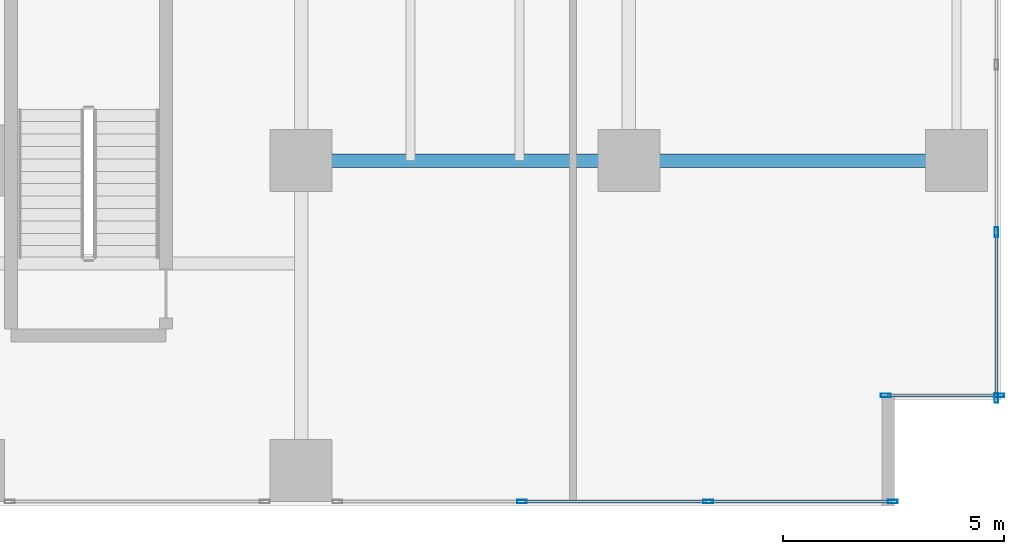
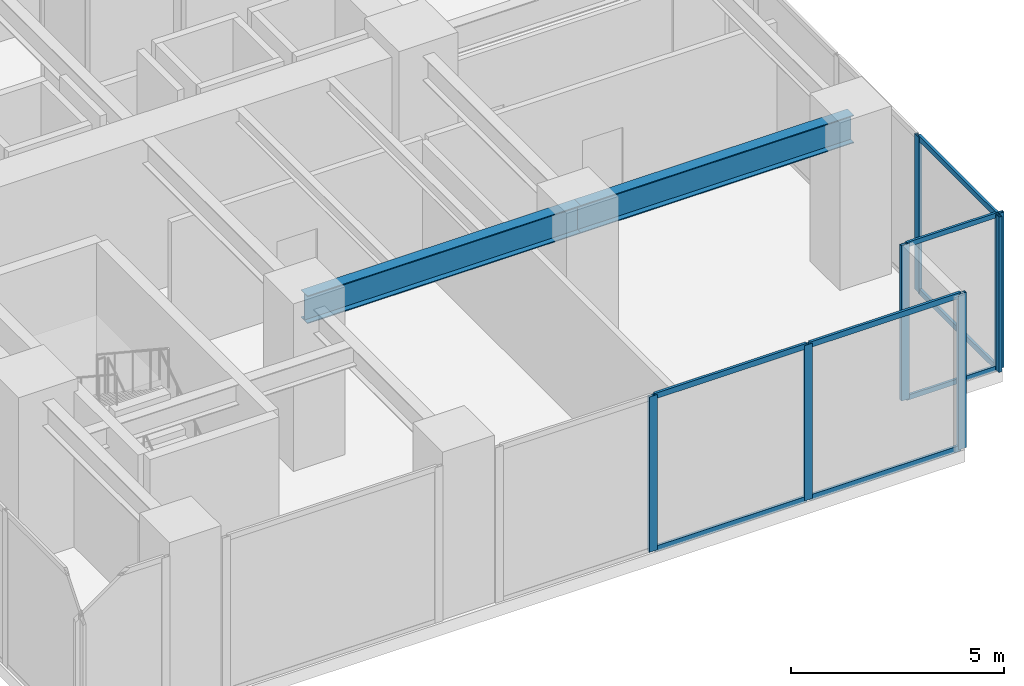
# One storey, part 18 of 32: 15 members, 2 beams, 3 elements without a shape of their own.
"""IFC4 building model written with IfcOpenShell, lengths in metres."""

from ifc_helpers import new_model, si_unit, direction, frame, origin, origin_2d, place, context, subcontext, project, spatial, hollow_rectangle, i_section, extrude, source, transform, mapped, material, layer, layer_set, material_profile, profile_set, type_object, type_shapes, element, aggregate, save


model = new_model("IFC4")

# Units and contexts
model_context = context("Model", 3, precision=1e-05, world=origin(), true_north=direction((0.0, 1.0)))
body_context = subcontext(model_context, "Body", "Model", "MODEL_VIEW")
ifc_project = project(units=[si_unit("LENGTHUNIT", "METRE"), si_unit("AREAUNIT", "SQUARE_METRE"), si_unit("VOLUMEUNIT", "CUBIC_METRE"), si_unit("PLANEANGLEUNIT", "RADIAN"), si_unit("MASSUNIT", "GRAM", prefix="KILO")], contexts=[model_context])

# Site, building, storey
site_placement = place(None, origin())
site = spatial("IfcSite", under=ifc_project, at=site_placement, CompositionType="ELEMENT")
building_placement = place(site_placement, origin())
building = spatial("IfcBuilding", under=site, at=building_placement, Name="Haelvirn Gate Laboratories", CompositionType="ELEMENT")
storey_placement = place(building_placement, frame((0.0, 0.0, 5.39990234375)))
storey = spatial("IfcBuildingStorey", under=building, at=storey_placement, Name="L02", CompositionType="ELEMENT", Elevation=5.39990234375)

# Beams
ifc_material_1 = material(Name="Steel SM420", Category="steel")
ifc_material_profile_1 = material_profile(ifc_material_1, i_section(OverallWidth=0.300048828125, OverallDepth=0.800048828125, WebThickness=0.013916015625, FlangeThickness=0.02587890625, at=origin_2d()), Name="H-800x300x14x26")
ifc_profile_set_1 = profile_set([ifc_material_profile_1], Name="Steel SM420")
beam_type = type_object("IfcBeamType", Name="BM-G-800", PredefinedType="BEAM", material=ifc_profile_set_1)
shared_shape_1 = source(origin(), body_context, "Body", "SweptSolid", [
    extrude(i_section(OverallWidth=0.300048828125, OverallDepth=0.800048828125, WebThickness=0.013916015625, FlangeThickness=0.02587890625, at=origin_2d()), origin(), (0.0, 0.0, 1.0), 7.400146484375),
])
beam_1_placement = place(storey_placement, frame((67.39990234375, 7.0, 4.050048828125), z_axis=(1.0, 0.0, 0.0), x_axis=(0.0, 1.0, 0.0)))
element("IfcBeam", 1, at=beam_1_placement, inside=storey, type_object=beam_type, Name="L02 Primary Girder Y7.0 (67.4-74.8)", PredefinedType="BEAM", context=body_context, shape_type="MappedRepresentation", body=[
    mapped(shared_shape_1, transform((0.0, 0.0, 0.0), scale=1.0)),
])
shared_shape_2 = source(origin(), body_context, "Body", "SweptSolid", [
    extrude(i_section(OverallWidth=0.300048828125, OverallDepth=0.800048828125, WebThickness=0.013916015625, FlangeThickness=0.02587890625, at=origin_2d()), origin(), (0.0, 0.0, 1.0), 7.39990234375),
])
type_shapes(beam_type, [shared_shape_1, shared_shape_2])
beam_2_placement = place(storey_placement, frame((60.0, 7.0, 4.050048828125), z_axis=(1.0, 0.0, 0.0), x_axis=(0.0, 1.0, 0.0)))
element("IfcBeam", 2, at=beam_2_placement, inside=storey, type_object=beam_type, Name="L02 Primary Girder Y7.0 (60.0-67.4)", PredefinedType="BEAM", context=body_context, shape_type="MappedRepresentation", body=[
    mapped(shared_shape_2, transform((0.0, 0.0, 0.0), scale=1.0)),
])

# Curtain wall, members
ifc_material_2 = material(Name="Anodised bronze unitised aluminium & triple low-E glass", Category="aluminium")
ifc_layer_1 = layer(ifc_material_2, 0.18798828125, Name="CW-SYS-1")
ifc_layer_set_1 = layer_set([ifc_layer_1], Name="Anodised bronze unitised aluminium & triple low-E glass")
curtain_wall_type_1 = type_object("IfcCurtainWallType", Name="CW-SYS-1", PredefinedType="NOTDEFINED", material=ifc_layer_set_1)
curtain_wall_1_placement = place(storey_placement, origin())
curtain_wall_1 = element("IfcCurtainWall", 3, at=curtain_wall_1_placement, inside=storey, type_object=curtain_wall_type_1, Name="L02 Unitised Curtain Wall CW-L02-P1-E00-1-S3", PredefinedType="NOTDEFINED")
ifc_material_3 = material(Name="Extruded aluminium 6063-T6 (anodised bronze)", Category="aluminium")
ifc_material_profile_2 = material_profile(ifc_material_3, hollow_rectangle(XDim=0.080078125, YDim=0.219970703125, WallThickness=0.006103515625, at=origin_2d()), Name="CWM-220x80x6")
ifc_profile_set_2 = profile_set([ifc_material_profile_2], Name="Extruded aluminium 6063-T6 (anodised bronze)")
member_type_1 = type_object("IfcMemberType", Name="CWM-T220", PredefinedType="MULLION", material=ifc_profile_set_2)
shared_shape_3 = source(origin(), body_context, "Body", "SweptSolid", [
    extrude(hollow_rectangle(XDim=0.080078125, YDim=0.219970703125, WallThickness=0.006103515625, at=origin_2d()), origin(), (0.0, 0.0, 1.0), 4.4501953125),
])
type_shapes(member_type_1, [shared_shape_3])
member_1_placement = place(storey_placement, frame((64.986572265625, -0.699951171875, 0.0), z_axis=(0.0, 0.0, 1.0), x_axis=(0.0, 1.0, 0.0)))
member_1 = element("IfcMember", 4, at=member_1_placement, type_object=member_type_1, Name="CW1 mullion 2", PredefinedType="MULLION", context=body_context, shape_type="MappedRepresentation", body=[
    mapped(shared_shape_3, transform((0.0, 0.0, 0.0), scale=1.0)),
])
member_2_placement = place(storey_placement, frame((69.193359375, -0.699951171875, 0.0), z_axis=(0.0, 0.0, 1.0), x_axis=(0.0, 1.0, 0.0)))
member_2 = element("IfcMember", 5, at=member_2_placement, type_object=member_type_1, Name="CW1 mullion 3", PredefinedType="MULLION", context=body_context, shape_type="MappedRepresentation", body=[
    mapped(shared_shape_3, transform((0.0, 0.0, 0.0), scale=1.0)),
])
member_3_placement = place(storey_placement, frame((73.360107421875, -0.699951171875, 0.0), z_axis=(0.0, 0.0, 1.0), x_axis=(0.0, 1.0, 0.0)))
member_3 = element("IfcMember", 6, at=member_3_placement, type_object=member_type_1, Name="CW1 mullion 4", PredefinedType="MULLION", context=body_context, shape_type="MappedRepresentation", body=[
    mapped(shared_shape_3, transform((0.0, 0.0, 0.0), scale=1.0)),
])

ifc_layer_2 = layer(ifc_material_2, 0.181884765625, Name="CW-SYS-5")
ifc_layer_set_2 = layer_set([ifc_layer_2], Name="Anodised bronze unitised aluminium & triple low-E glass")
curtain_wall_type_2 = type_object("IfcCurtainWallType", Name="CW-SYS-5", PredefinedType="NOTDEFINED", material=ifc_layer_set_2)
curtain_wall_2_placement = place(storey_placement, origin())
curtain_wall_2 = element("IfcCurtainWall", 7, at=curtain_wall_2_placement, inside=storey, type_object=curtain_wall_type_2, Name="L02 Unitised Curtain Wall CW-L02-P1-E02-1", PredefinedType="NOTDEFINED")
member_4_placement = place(storey_placement, frame((73.199951171875, 1.699951171875, 0.0), z_axis=(0.0, 0.0, 1.0), x_axis=(0.0, 1.0, 0.0)))
member_4 = element("IfcMember", 8, at=member_4_placement, type_object=member_type_1, Name="CW5 mullion 1", PredefinedType="MULLION", context=body_context, shape_type="MappedRepresentation", body=[
    mapped(shared_shape_3, transform((0.0, 0.0, 0.0), scale=1.0)),
])
member_5_placement = place(storey_placement, frame((75.760009765625, 1.699951171875, 0.0), z_axis=(0.0, 0.0, 1.0), x_axis=(0.0, 1.0, 0.0)))
member_5 = element("IfcMember", 9, at=member_5_placement, type_object=member_type_1, Name="CW5 mullion 2", PredefinedType="MULLION", context=body_context, shape_type="MappedRepresentation", body=[
    mapped(shared_shape_3, transform((0.0, 0.0, 0.0), scale=1.0)),
])

curtain_wall_3_placement = place(storey_placement, origin())
curtain_wall_3 = element("IfcCurtainWall", 10, at=curtain_wall_3_placement, inside=storey, type_object=curtain_wall_type_1, Name="L02 Unitised Curtain Wall CW-L02-P1-E03", PredefinedType="NOTDEFINED")
member_6_placement = place(storey_placement, frame((75.699951171875, 1.639892578125, 0.0), z_axis=(0.0, 0.0, 1.0), x_axis=(-1.0, 0.0, 0.0)))
member_6 = element("IfcMember", 11, at=member_6_placement, type_object=member_type_1, Name="CW1 mullion 1", PredefinedType="MULLION", context=body_context, shape_type="MappedRepresentation", body=[
    mapped(shared_shape_3, transform((0.0, 0.0, 0.0), scale=1.0)),
])
member_7_placement = place(storey_placement, frame((75.699951171875, 5.38330078125, 0.0), z_axis=(0.0, 0.0, 1.0), x_axis=(-1.0, 0.0, 0.0)))
member_7 = element("IfcMember", 12, at=member_7_placement, type_object=member_type_1, Name="CW1 mullion 2", PredefinedType="MULLION", context=body_context, shape_type="MappedRepresentation", body=[
    mapped(shared_shape_3, transform((0.0, 0.0, 0.0), scale=1.0)),
])

# Member
ifc_material_profile_3 = material_profile(ifc_material_3, hollow_rectangle(XDim=0.06494140625, YDim=0.139892578125, WallThickness=0.00390625, at=origin_2d()), Name="CWT-140x65x4")
ifc_profile_set_3 = profile_set([ifc_material_profile_3], Name="Extruded aluminium 6063-T6 (anodised bronze)")
member_type_2 = type_object("IfcMemberType", Name="CWT-T140", PredefinedType="USERDEFINED", material=ifc_profile_set_3)
shared_shape_4 = source(origin(), body_context, "Body", "SweptSolid", [
    extrude(hollow_rectangle(XDim=0.06494140625, YDim=0.139892578125, WallThickness=0.00390625, at=origin_2d()), origin(), (0.0, 0.0, 1.0), 2.47998046875),
])
type_shapes(member_type_2, [shared_shape_4])
member_8_placement = place(storey_placement, frame((73.239990234375, 1.699951171875, 0.03271484375), z_axis=(1.0, 0.0, 0.0), x_axis=(0.0, 1.0, 0.0)))
member_8 = element("IfcMember", 13, at=member_8_placement, type_object=member_type_2, Name="CW5 transom 1.1", ObjectType="TRANSOM", PredefinedType="USERDEFINED", context=body_context, shape_type="MappedRepresentation", body=[
    mapped(shared_shape_4, transform((0.0, 0.0, 0.0), scale=1.0)),
])

member_9_placement = place(storey_placement, frame((73.239990234375, 1.699951171875, 4.41748046875), z_axis=(1.0, 0.0, 0.0), x_axis=(0.0, 1.0, 0.0)))
member_9 = element("IfcMember", 14, at=member_9_placement, type_object=member_type_2, Name="CW5 transom 1.2", ObjectType="TRANSOM", PredefinedType="USERDEFINED", context=body_context, shape_type="MappedRepresentation", body=[
    mapped(shared_shape_4, transform((0.0, 0.0, 0.0), scale=1.0)),
])

aggregate(curtain_wall_2, [member_4, member_5, member_8, member_9])

ifc_material_profile_4 = material_profile(ifc_material_3, hollow_rectangle(XDim=0.070068359375, YDim=0.159912109375, WallThickness=0.0048828125, at=origin_2d()), Name="CWT-160x70x5")
ifc_profile_set_4 = profile_set([ifc_material_profile_4], Name="Extruded aluminium 6063-T6 (anodised bronze)")
member_type_3 = type_object("IfcMemberType", Name="CWT-T160", PredefinedType="USERDEFINED", material=ifc_profile_set_4)
shared_shape_5 = source(origin(), body_context, "Body", "SweptSolid", [
    extrude(hollow_rectangle(XDim=0.070068359375, YDim=0.159912109375, WallThickness=0.0048828125, at=origin_2d()), origin(), (0.0, 0.0, 1.0), 3.663330078125),
])
member_10_placement = place(storey_placement, frame((75.699951171875, 1.679931640625, 0.03515625), z_axis=(0.0, 1.0, 0.0), x_axis=(-1.0, 0.0, 0.0)))
member_10 = element("IfcMember", 15, at=member_10_placement, type_object=member_type_3, Name="CW1 transom 1.1", ObjectType="TRANSOM", PredefinedType="USERDEFINED", context=body_context, shape_type="MappedRepresentation", body=[
    mapped(shared_shape_5, transform((0.0, 0.0, 0.0), scale=1.0)),
])

member_11_placement = place(storey_placement, frame((75.699951171875, 1.679931640625, 4.4150390625), z_axis=(0.0, 1.0, 0.0), x_axis=(-1.0, 0.0, 0.0)))
member_11 = element("IfcMember", 16, at=member_11_placement, type_object=member_type_3, Name="CW1 transom 1.2", ObjectType="TRANSOM", PredefinedType="USERDEFINED", context=body_context, shape_type="MappedRepresentation", body=[
    mapped(shared_shape_5, transform((0.0, 0.0, 0.0), scale=1.0)),
])

aggregate(curtain_wall_3, [member_6, member_7, member_10, member_11])

shared_shape_6 = source(origin(), body_context, "Body", "SweptSolid", [
    extrude(hollow_rectangle(XDim=0.070068359375, YDim=0.159912109375, WallThickness=0.0048828125, at=origin_2d()), origin(), (0.0, 0.0, 1.0), 4.086669921875),
])
member_12_placement = place(storey_placement, frame((69.2333984375, -0.699951171875, 0.03515625), z_axis=(1.0, 0.0, 0.0), x_axis=(0.0, 1.0, 0.0)))
member_12 = element("IfcMember", 17, at=member_12_placement, type_object=member_type_3, Name="CW1 transom 3.1", ObjectType="TRANSOM", PredefinedType="USERDEFINED", context=body_context, shape_type="MappedRepresentation", body=[
    mapped(shared_shape_6, transform((0.0, 0.0, 0.0), scale=1.0)),
])

member_13_placement = place(storey_placement, frame((69.2333984375, -0.699951171875, 4.4150390625), z_axis=(1.0, 0.0, 0.0), x_axis=(0.0, 1.0, 0.0)))
member_13 = element("IfcMember", 18, at=member_13_placement, type_object=member_type_3, Name="CW1 transom 3.2", ObjectType="TRANSOM", PredefinedType="USERDEFINED", context=body_context, shape_type="MappedRepresentation", body=[
    mapped(shared_shape_6, transform((0.0, 0.0, 0.0), scale=1.0)),
])

shared_shape_7 = source(origin(), body_context, "Body", "SweptSolid", [
    extrude(hollow_rectangle(XDim=0.070068359375, YDim=0.159912109375, WallThickness=0.0048828125, at=origin_2d()), origin(), (0.0, 0.0, 1.0), 4.126708984375),
])
type_shapes(member_type_3, [shared_shape_5, shared_shape_6, shared_shape_7])
member_14_placement = place(storey_placement, frame((65.026611328125, -0.699951171875, 0.03515625), z_axis=(1.0, 0.0, 0.0), x_axis=(0.0, 1.0, 0.0)))
member_14 = element("IfcMember", 19, at=member_14_placement, type_object=member_type_3, Name="CW1 transom 2.1", ObjectType="TRANSOM", PredefinedType="USERDEFINED", context=body_context, shape_type="MappedRepresentation", body=[
    mapped(shared_shape_7, transform((0.0, 0.0, 0.0), scale=1.0)),
])

member_15_placement = place(storey_placement, frame((65.026611328125, -0.699951171875, 4.4150390625), z_axis=(1.0, 0.0, 0.0), x_axis=(0.0, 1.0, 0.0)))
member_15 = element("IfcMember", 20, at=member_15_placement, type_object=member_type_3, Name="CW1 transom 2.2", ObjectType="TRANSOM", PredefinedType="USERDEFINED", context=body_context, shape_type="MappedRepresentation", body=[
    mapped(shared_shape_7, transform((0.0, 0.0, 0.0), scale=1.0)),
])

aggregate(curtain_wall_1, [member_1, member_2, member_3, member_14, member_15, member_12, member_13])

save(model, "model.ifc")
